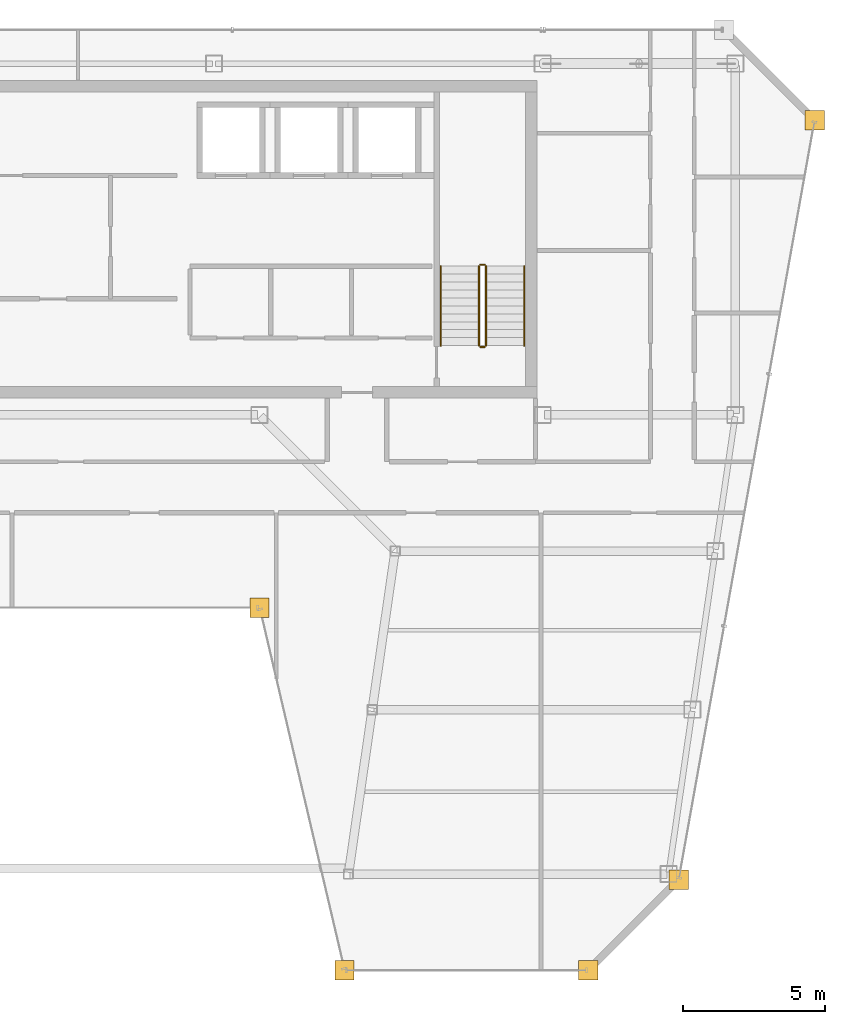
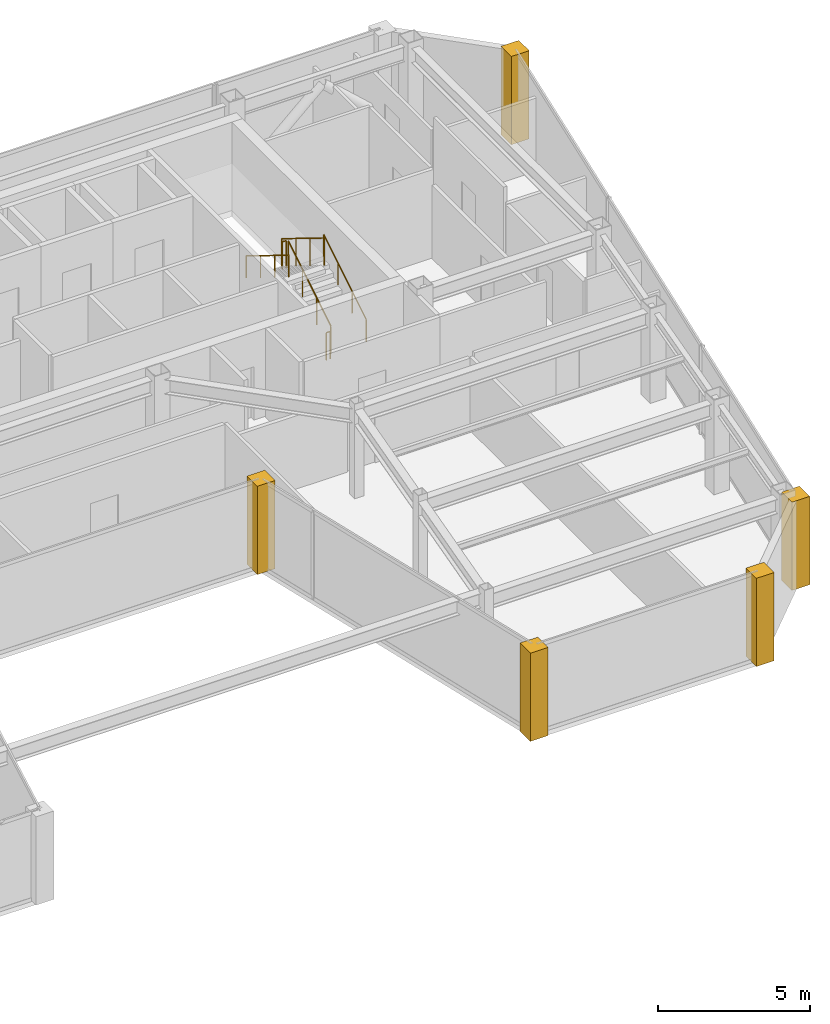
# One storey, part 31 of 32: 6 railings, 5 coverings.
"""IFC4 building model written with IfcOpenShell, lengths in metres."""

from ifc_helpers import new_model, si_unit, direction, frame, origin, origin_2d, place, context, subcontext, project, spatial, polyline, circle, outline, extrude, material, layer, layer_set, type_object, element, save


model = new_model("IFC4")

# Units and contexts
model_context = context("Model", 3, precision=1e-05, world=origin(), true_north=direction((0.0, 1.0)))
body_context = subcontext(model_context, "Body", "Model", "MODEL_VIEW")
ifc_project = project(units=[si_unit("LENGTHUNIT", "METRE"), si_unit("AREAUNIT", "SQUARE_METRE"), si_unit("VOLUMEUNIT", "CUBIC_METRE"), si_unit("PLANEANGLEUNIT", "RADIAN"), si_unit("MASSUNIT", "GRAM", prefix="KILO")], contexts=[model_context])

# Site, building, storey
site_placement = place(None, origin())
site = spatial("IfcSite", under=ifc_project, at=site_placement, CompositionType="ELEMENT")
building_placement = place(site_placement, origin())
building = spatial("IfcBuilding", under=site, at=building_placement, Name="Saevonmaru Cultural Tower", CompositionType="ELEMENT")
storey_placement = place(building_placement, frame((0.0, 0.0, 268.60009765625)))
storey = spatial("IfcBuildingStorey", under=building, at=storey_placement, Name="L63", CompositionType="ELEMENT", Elevation=268.60009765625)

# Coverings
ifc_material_1 = material(Name="Satin Bronze Anodised Aluminium", Category="aluminium")
ifc_layer = layer(ifc_material_1, 0.679931640625, Name="Satin Bronze Anodised Aluminium")
ifc_layer_set = layer_set([ifc_layer], Name="Satin Bronze Anodised Aluminium")
covering_type = type_object("IfcCoveringType", Name="CV-CORNER-CLAD", PredefinedType="CLADDING", material=ifc_layer_set)
covering_1_placement = place(storey_placement, origin())
element("IfcCovering", 1, at=covering_1_placement, inside=storey, type_object=covering_type, Name="L63 Tower Bronze Corner Cladding Pier 5", PredefinedType="CLADDING", context=body_context, shape_type="SweptSolid", body=[
    extrude(outline(polyline([(36.06396484375, 35.260009765625), (36.743896484375, 35.260009765625), (36.743896484375, 35.93994140625), (36.06396484375, 35.93994140625), (36.06396484375, 35.260009765625)])), origin(), (0.0, 0.0, 1.0), 3.5498046875),
])
covering_2_placement = place(storey_placement, origin())
element("IfcCovering", 2, at=covering_2_placement, inside=storey, type_object=covering_type, Name="L63 Tower Bronze Corner Cladding Pier 6", PredefinedType="CLADDING", context=body_context, shape_type="SweptSolid", body=[
    extrude(outline(polyline([(39.06396484375, 22.4599609375), (39.743896484375, 22.4599609375), (39.743896484375, 23.139892578125), (39.06396484375, 23.139892578125), (39.06396484375, 22.4599609375)])), origin(), (0.0, 0.0, 1.0), 3.5498046875),
])
covering_3_placement = place(storey_placement, origin())
element("IfcCovering", 3, at=covering_3_placement, inside=storey, type_object=covering_type, Name="L63 Tower Bronze Corner Cladding Pier 7", PredefinedType="CLADDING", context=body_context, shape_type="SweptSolid", body=[
    extrude(outline(polyline([(47.6640625, 22.4599609375), (48.343994140625, 22.4599609375), (48.343994140625, 23.139892578125), (47.6640625, 23.139892578125), (47.6640625, 22.4599609375)])), origin(), (0.0, 0.0, 1.0), 3.5498046875),
])
covering_4_placement = place(storey_placement, origin())
element("IfcCovering", 4, at=covering_4_placement, inside=storey, type_object=covering_type, Name="L63 Tower Bronze Corner Cladding Pier 8", PredefinedType="CLADDING", context=body_context, shape_type="SweptSolid", body=[
    extrude(outline(polyline([(50.864013671875, 25.659912109375), (51.5439453125, 25.659912109375), (51.5439453125, 26.340087890625), (50.864013671875, 26.340087890625), (50.864013671875, 25.659912109375)])), origin(), (0.0, 0.0, 1.0), 3.5498046875),
])
covering_5_placement = place(storey_placement, origin())
element("IfcCovering", 5, at=covering_5_placement, inside=storey, type_object=covering_type, Name="L63 Tower Bronze Corner Cladding Pier 9", PredefinedType="CLADDING", context=body_context, shape_type="SweptSolid", body=[
    extrude(outline(polyline([(55.659912109375, 52.4599609375), (56.340087890625, 52.4599609375), (56.340087890625, 53.139892578125), (55.659912109375, 53.139892578125), (55.659912109375, 52.4599609375)])), origin(), (0.0, 0.0, 1.0), 3.5498046875),
])

# Railings
ifc_material_2 = material(Name="Architectural Painted Steel", Category="steel")
railing_type_1 = type_object("IfcRailingType", Name="RL-STAIR-GUARD", PredefinedType="GUARDRAIL", material=ifc_material_2)
railing_1_placement = place(storey_placement, frame((44.39990234375, 44.85009765625, 0.172607421875)))
element("IfcRailing", 6, at=railing_1_placement, inside=storey, type_object=railing_type_1, Name="L63 ST-2 stair guard 1", PredefinedType="GUARDRAIL", context=body_context, shape_type="SweptSolid", body=[
    extrude(circle(Radius=0.02392578125, at=origin_2d()), frame((0.0, 0.0, 1.09619140625), z_axis=(0.0, 0.851069175582, 0.525053576669), x_axis=(-1.0, 0.0, 0.0)), (0.0, 0.0, 1.0), 3.289794921875),
    extrude(circle(Radius=0.02099609375, at=origin_2d()), origin(), (0.0, 0.0, 1.0), 1.072021484375),
    extrude(circle(Radius=0.02099609375, at=origin_2d()), frame((0.0, 0.933349609375, 0.57568359375)), (0.0, 0.0, 1.0), 1.072021484375),
    extrude(circle(Radius=0.02099609375, at=origin_2d()), frame((0.0, 1.866455078125, 1.151611328125)), (0.0, 0.0, 1.0), 1.072021484375),
    extrude(circle(Radius=0.02099609375, at=origin_2d()), frame((0.0, 2.7998046875, 1.727294921875)), (0.0, 0.0, 1.0), 1.072021484375),
])
railing_2_placement = place(storey_placement, frame((44.35009765625, 47.699951171875, 1.89990234375)))
element("IfcRailing", 7, at=railing_2_placement, inside=storey, type_object=railing_type_1, Name="L63 ST-2 stair guard 2", PredefinedType="GUARDRAIL", context=body_context, shape_type="SweptSolid", body=[
    extrude(circle(Radius=0.02392578125, at=origin_2d()), frame((0.0, 0.0, 1.09619140625), z_axis=(-1.0, 0.0, 0.0), x_axis=(0.0, -1.0, 0.0)), (0.0, 0.0, 1.0), 0.150146484375),
    extrude(circle(Radius=0.02099609375, at=origin_2d()), origin(), (0.0, 0.0, 1.0), 1.072021484375),
    extrude(circle(Radius=0.02099609375, at=origin_2d()), frame((-0.150146484375, 0.0, 0.0)), (0.0, 0.0, 1.0), 1.072021484375),
])
railing_3_placement = place(storey_placement, frame((44.14990234375, 47.64990234375, 2.072509765625)))
element("IfcRailing", 8, at=railing_3_placement, inside=storey, type_object=railing_type_1, Name="L63 ST-2 stair guard 3", PredefinedType="GUARDRAIL", context=body_context, shape_type="SweptSolid", body=[
    extrude(circle(Radius=0.02392578125, at=origin_2d()), frame((0.0, 0.0, 1.09619140625), z_axis=(0.0, -0.851069175582, 0.525053576669), x_axis=(1.0, 0.0, 0.0)), (0.0, 0.0, 1.0), 3.289794921875),
    extrude(circle(Radius=0.02099609375, at=origin_2d()), origin(), (0.0, 0.0, 1.0), 1.072021484375),
    extrude(circle(Radius=0.02099609375, at=origin_2d()), frame((0.0, -0.933349609375, 0.57568359375)), (0.0, 0.0, 1.0), 1.072021484375),
    extrude(circle(Radius=0.02099609375, at=origin_2d()), frame((0.0, -1.866455078125, 1.151611328125)), (0.0, 0.0, 1.0), 1.072021484375),
    extrude(circle(Radius=0.02099609375, at=origin_2d()), frame((0.0, -2.7998046875, 1.727294921875)), (0.0, 0.0, 1.0), 1.072021484375),
])
railing_4_placement = place(storey_placement, frame((44.35009765625, 44.800048828125, 0.0)))
element("IfcRailing", 9, at=railing_4_placement, inside=storey, type_object=railing_type_1, Name="L63 ST-2 stair guard 4", PredefinedType="GUARDRAIL", context=body_context, shape_type="SweptSolid", body=[
    extrude(circle(Radius=0.02392578125, at=origin_2d()), frame((0.0, 0.0, 1.09619140625), z_axis=(-1.0, 0.0, 0.0), x_axis=(0.0, -1.0, 0.0)), (0.0, 0.0, 1.0), 0.150146484375),
    extrude(circle(Radius=0.02099609375, at=origin_2d()), origin(), (0.0, 0.0, 1.0), 1.072021484375),
    extrude(circle(Radius=0.02099609375, at=origin_2d()), frame((-0.150146484375, 0.0, 0.0)), (0.0, 0.0, 1.0), 1.072021484375),
])
railing_type_2 = type_object("IfcRailingType", Name="RL-STAIR-HANDRAIL", PredefinedType="HANDRAIL", material=ifc_material_1)
railing_5_placement = place(storey_placement, frame((45.75, 44.85009765625, 0.172607421875)))
element("IfcRailing", 10, at=railing_5_placement, inside=storey, type_object=railing_type_2, Name="L63 ST-2 stair handrail 1", PredefinedType="HANDRAIL", context=body_context, shape_type="SweptSolid", body=[
    extrude(circle(Radius=0.02392578125, at=origin_2d()), frame((0.0, 0.0, 0.8759765625), z_axis=(0.0, 0.851069175582, 0.525053576669), x_axis=(-1.0, 0.0, 0.0)), (0.0, 0.0, 1.0), 3.289794921875),
    extrude(circle(Radius=0.02099609375, at=origin_2d()), origin(), (0.0, 0.0, 1.0), 0.851806640625),
    extrude(circle(Radius=0.02099609375, at=origin_2d()), frame((0.0, 0.933349609375, 0.57568359375)), (0.0, 0.0, 1.0), 0.851806640625),
    extrude(circle(Radius=0.02099609375, at=origin_2d()), frame((0.0, 1.866455078125, 1.151611328125)), (0.0, 0.0, 1.0), 0.851806640625),
    extrude(circle(Radius=0.02099609375, at=origin_2d()), frame((0.0, 2.7998046875, 1.727294921875)), (0.0, 0.0, 1.0), 0.851806640625),
])
railing_6_placement = place(storey_placement, frame((42.800048828125, 47.64990234375, 2.072509765625)))
element("IfcRailing", 11, at=railing_6_placement, inside=storey, type_object=railing_type_2, Name="L63 ST-2 stair handrail 2", PredefinedType="HANDRAIL", context=body_context, shape_type="SweptSolid", body=[
    extrude(circle(Radius=0.02392578125, at=origin_2d()), frame((0.0, 0.0, 0.8759765625), z_axis=(0.0, -0.851069175582, 0.525053576669), x_axis=(1.0, 0.0, 0.0)), (0.0, 0.0, 1.0), 3.289794921875),
    extrude(circle(Radius=0.02099609375, at=origin_2d()), origin(), (0.0, 0.0, 1.0), 0.851806640625),
    extrude(circle(Radius=0.02099609375, at=origin_2d()), frame((0.0, -0.933349609375, 0.57568359375)), (0.0, 0.0, 1.0), 0.851806640625),
    extrude(circle(Radius=0.02099609375, at=origin_2d()), frame((0.0, -1.866455078125, 1.151611328125)), (0.0, 0.0, 1.0), 0.851806640625),
    extrude(circle(Radius=0.02099609375, at=origin_2d()), frame((0.0, -2.7998046875, 1.727294921875)), (0.0, 0.0, 1.0), 0.851806640625),
])

save(model, "model.ifc")
